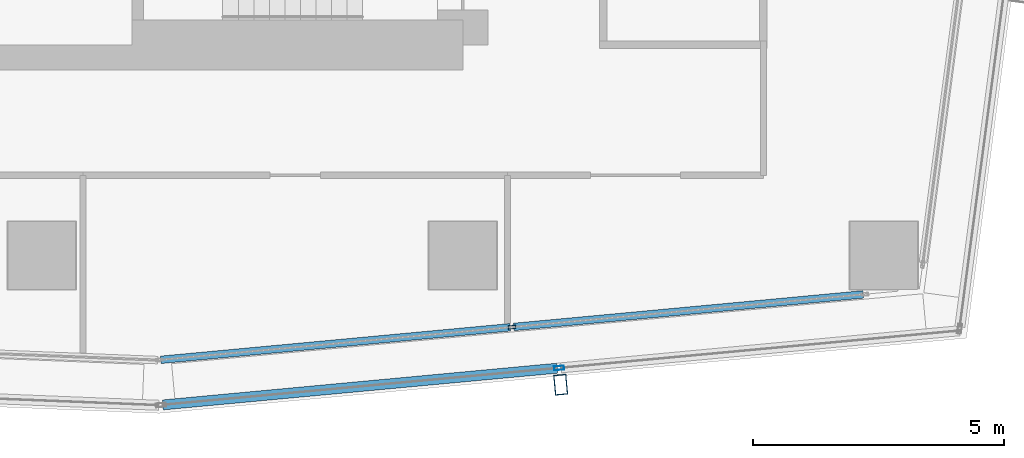
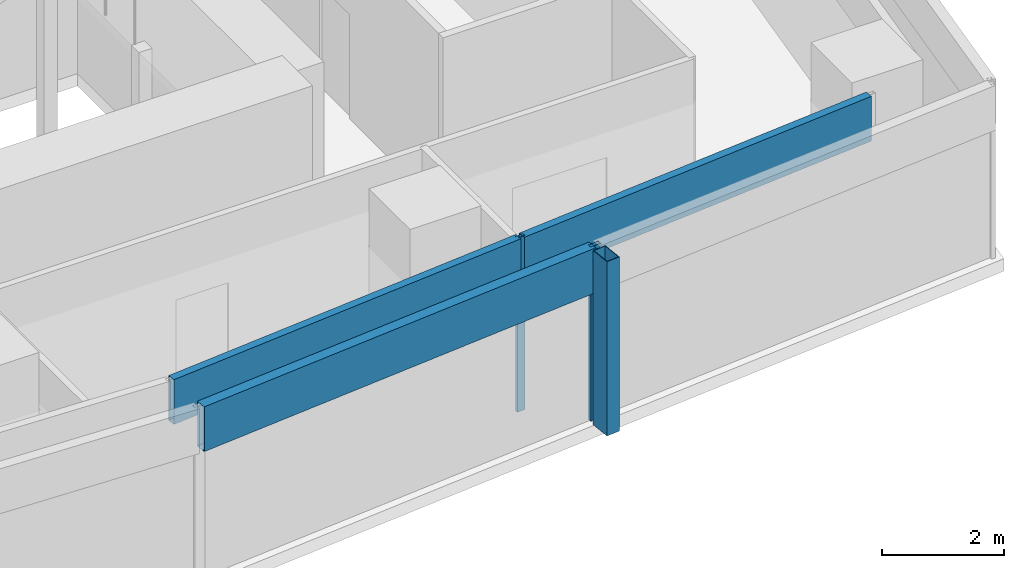
# One storey, part 11 of 40: 6 members, 2 elements without a shape of their own.
"""IFC4 building model written with IfcOpenShell, lengths in metres."""

from ifc_helpers import new_model, si_unit, direction, frame, origin, origin_2d, place, context, subcontext, project, spatial, hollow_rectangle, extrude, material, material_profile, profile_set, type_object, element, aggregate, save


model = new_model("IFC4")

# Units and contexts
model_context = context("Model", 3, precision=1e-05, world=origin(), true_north=direction((0.0, 1.0)))
body_context = subcontext(model_context, "Body", "Model", "MODEL_VIEW")
ifc_project = project(units=[si_unit("LENGTHUNIT", "METRE"), si_unit("AREAUNIT", "SQUARE_METRE"), si_unit("VOLUMEUNIT", "CUBIC_METRE"), si_unit("PLANEANGLEUNIT", "RADIAN"), si_unit("MASSUNIT", "GRAM", prefix="KILO")], contexts=[model_context])

# Site, building, storey
site_placement = place(None, origin())
site = spatial("IfcSite", under=ifc_project, at=site_placement, CompositionType="ELEMENT")
building_placement = place(site_placement, origin())
building = spatial("IfcBuilding", under=site, at=building_placement, Name="Rekha Terrace Tower", CompositionType="ELEMENT")
storey_placement = place(building_placement, frame((0.0, 0.0, 213.949951171875)))
storey = spatial("IfcBuildingStorey", under=building, at=storey_placement, Name="L54", CompositionType="ELEMENT", Elevation=213.949951171875)

# Curtain wall, member
ifc_material_1 = material(Name="Aluminium framing", Category="aluminium")
curtain_wall_type_1 = type_object("IfcCurtainWallType", Name="CW2 double skin outer glazing", PredefinedType="USERDEFINED", material=ifc_material_1)
curtain_wall_1_placement = place(storey_placement, origin())
curtain_wall_1 = element("IfcCurtainWall", 1, at=curtain_wall_1_placement, inside=storey, type_object=curtain_wall_type_1, Name="CW2 double skin outer glazing", ObjectType="DOUBLE SKIN OUTER GLAZING", PredefinedType="USERDEFINED")
ifc_material_2 = material(Name="Steel S355 with fluorocarbon finish", Category="steel")
ifc_material_profile_1 = material_profile(ifc_material_2, hollow_rectangle(XDim=0.25, YDim=0.39990234375, WallThickness=0.012451171875, at=origin_2d()), Name="RHS400x250x12.5")
ifc_profile_set_1 = profile_set([ifc_material_profile_1], Name="Steel S355 with fluorocarbon finish")
member_type_1 = type_object("IfcMemberType", Name="BL1 facade blade RHS 400 x 250", PredefinedType="USERDEFINED", material=ifc_profile_set_1)
member_1_placement = place(storey_placement, frame((52.35302734375, 14.22021484375, 0.0), z_axis=(0.0, 0.0, 1.0), x_axis=(0.995693203185, 0.092709466242, 0.0)))
member_1 = element("IfcMember", 2, at=member_1_placement, type_object=member_type_1, Name="Facade blade", ObjectType="FACADE BLADE", PredefinedType="USERDEFINED", context=body_context, shape_type="SweptSolid", body=[
    extrude(hollow_rectangle(XDim=0.25, YDim=0.39990234375, WallThickness=0.012451171875, at=origin_2d()), origin(), (0.0, 0.0, 1.0), 3.5),
])

# Curtain wall, members
curtain_wall_type_2 = type_object("IfcCurtainWallType", Name="CW1 double skin inner glazing", PredefinedType="USERDEFINED", material=ifc_material_1)
curtain_wall_2_placement = place(storey_placement, origin())
curtain_wall_2 = element("IfcCurtainWall", 3, at=curtain_wall_2_placement, inside=storey, type_object=curtain_wall_type_2, Name="CW1 double skin inner glazing", ObjectType="DOUBLE SKIN INNER GLAZING", PredefinedType="USERDEFINED")
ifc_material_3 = material(Name="Aluminium mullion section", Category="aluminium")
ifc_material_profile_2 = material_profile(ifc_material_3, hollow_rectangle(XDim=0.06494140625, YDim=0.14990234375, WallThickness=0.00390625, at=origin_2d()), Name="AL RHS 65x150")
ifc_profile_set_2 = profile_set([ifc_material_profile_2], Name="Aluminium mullion section")
member_type_2 = type_object("IfcMemberType", Name="CW1 mullion RHS 65 x 150", PredefinedType="MULLION", material=ifc_profile_set_2)
member_2_placement = place(storey_placement, frame((51.3818359375, 15.370361328125, 0.0), z_axis=(0.0, 0.0, 1.0), x_axis=(-0.092708869564, 0.995693258742, 0.0)))
member_2 = element("IfcMember", 4, at=member_2_placement, type_object=member_type_2, Name="CW1 mullion 2", PredefinedType="MULLION", context=body_context, shape_type="SweptSolid", body=[
    extrude(hollow_rectangle(XDim=0.06494140625, YDim=0.14990234375, WallThickness=0.00390625, at=origin_2d()), origin(), (0.0, 0.0, 1.0), 3.5),
])
ifc_material_4 = material(Name="Insulated aluminium spandrel box", Category="aluminium")
ifc_material_profile_3 = material_profile(ifc_material_4, hollow_rectangle(XDim=0.14990234375, YDim=0.89990234375, WallThickness=0.0029296875, at=origin_2d()), Name="AL SPANDREL BOX 150x900")
ifc_profile_set_3 = profile_set([ifc_material_profile_3], Name="Insulated aluminium spandrel box")
member_type_3 = type_object("IfcMemberType", Name="CW1 spandrel transom 150 x 900", PredefinedType="USERDEFINED", material=ifc_profile_set_3)
member_3_placement = place(storey_placement, frame((44.376708984375, 14.718017578125, 3.050048828125), z_axis=(0.995694259474, 0.092698121072, 0.0), x_axis=(-0.092698121072, 0.995694259474, 0.0)))
member_3 = element("IfcMember", 5, at=member_3_placement, type_object=member_type_3, Name="CW1 spandrel transom 1", ObjectType="TRANSOM", PredefinedType="USERDEFINED", context=body_context, shape_type="SweptSolid", body=[
    extrude(hollow_rectangle(XDim=0.14990234375, YDim=0.89990234375, WallThickness=0.0029296875, at=origin_2d()), origin(), (0.0, 0.0, 1.0), 7.003173828125),
])
member_4_placement = place(storey_placement, frame((51.414306640625, 15.373291015625, 3.050048828125), z_axis=(0.995694259474, 0.092698121072, 0.0), x_axis=(-0.092698121072, 0.995694259474, 0.0)))
member_4 = element("IfcMember", 6, at=member_4_placement, type_object=member_type_3, Name="CW1 spandrel transom 2", ObjectType="TRANSOM", PredefinedType="USERDEFINED", context=body_context, shape_type="SweptSolid", body=[
    extrude(hollow_rectangle(XDim=0.14990234375, YDim=0.89990234375, WallThickness=0.0029296875, at=origin_2d()), origin(), (0.0, 0.0, 1.0), 7.003173828125),
])
aggregate(curtain_wall_2, [member_2, member_3, member_4])

# Member
ifc_material_profile_4 = material_profile(ifc_material_3, hollow_rectangle(XDim=0.080078125, YDim=0.199951171875, WallThickness=0.00390625, at=origin_2d()), Name="AL RHS 80x200")
ifc_profile_set_4 = profile_set([ifc_material_profile_4], Name="Aluminium mullion section")
member_type_4 = type_object("IfcMemberType", Name="CW2 mullion RHS 80 x 200", PredefinedType="MULLION", material=ifc_profile_set_4)
member_5_placement = place(storey_placement, frame((52.322021484375, 14.553955078125, 0.0), z_axis=(0.0, 0.0, 1.0), x_axis=(-0.092708869512, 0.995693258747, 0.0)))
member_5 = element("IfcMember", 7, at=member_5_placement, type_object=member_type_4, Name="CW2 mullion 2", PredefinedType="MULLION", context=body_context, shape_type="SweptSolid", body=[
    extrude(hollow_rectangle(XDim=0.080078125, YDim=0.199951171875, WallThickness=0.00390625, at=origin_2d()), origin(), (0.0, 0.0, 1.0), 3.5),
])

ifc_material_profile_5 = material_profile(ifc_material_4, hollow_rectangle(XDim=0.199951171875, YDim=0.89990234375, WallThickness=0.0029296875, at=origin_2d()), Name="AL SPANDREL BOX 200x900")
ifc_profile_set_5 = profile_set([ifc_material_profile_5], Name="Insulated aluminium spandrel box")
member_type_5 = type_object("IfcMemberType", Name="CW2 spandrel transom 200 x 900", PredefinedType="USERDEFINED", material=ifc_profile_set_5)
member_6_placement = place(storey_placement, frame((44.41552734375, 13.817626953125, 3.050048828125), z_axis=(0.995690937161, 0.092733799963, 0.0), x_axis=(-0.092733799963, 0.995690937161, 0.0)))
member_6 = element("IfcMember", 8, at=member_6_placement, type_object=member_type_5, Name="CW2 spandrel transom 1", ObjectType="TRANSOM", PredefinedType="USERDEFINED", context=body_context, shape_type="SweptSolid", body=[
    extrude(hollow_rectangle(XDim=0.199951171875, YDim=0.89990234375, WallThickness=0.0029296875, at=origin_2d()), origin(), (0.0, 0.0, 1.0), 7.900634765625),
])

aggregate(curtain_wall_1, [member_5, member_6, member_1])

save(model, "model.ifc")
